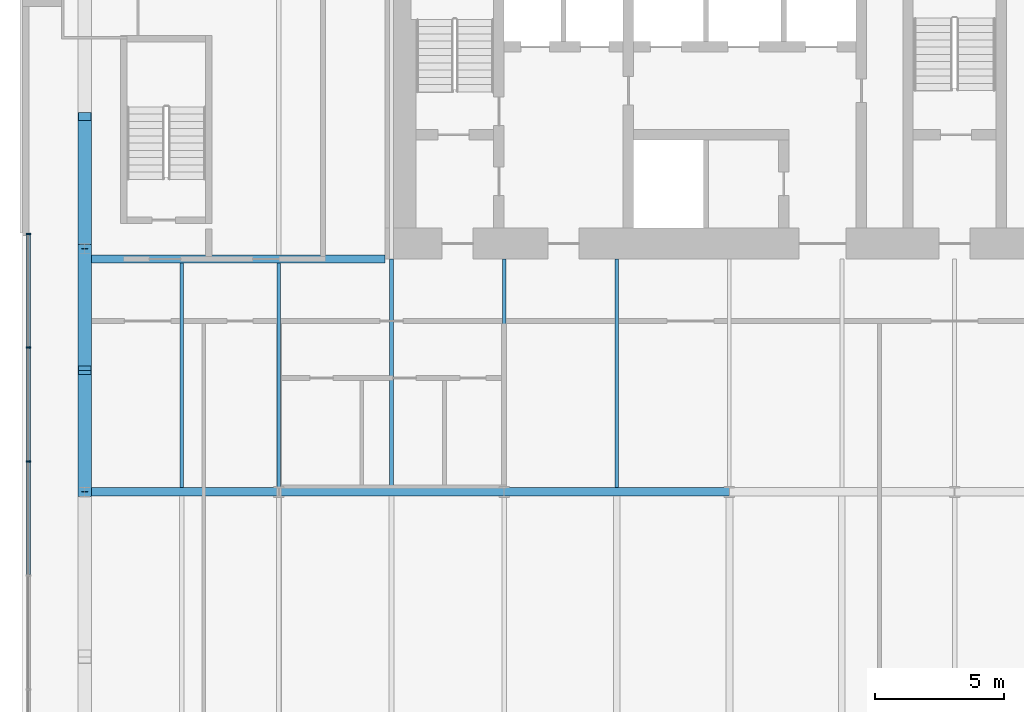
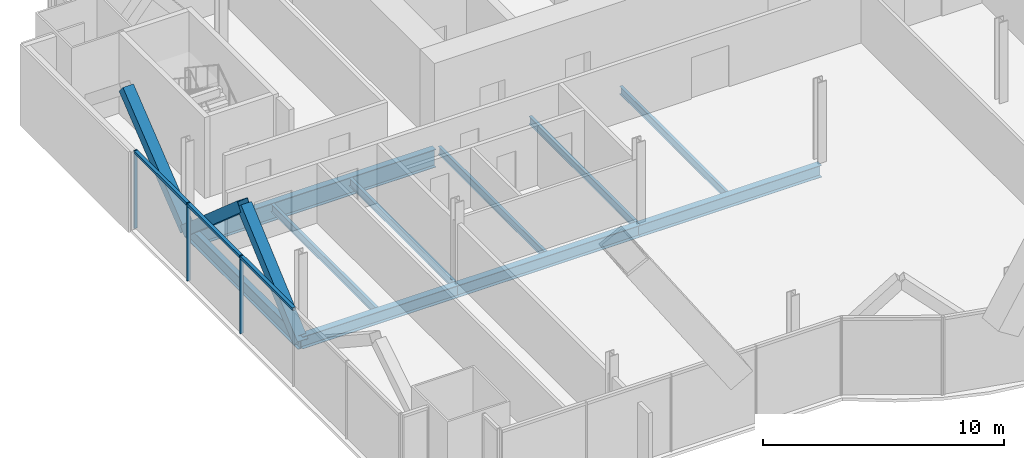
# One storey, part 6 of 21: 10 beams, 9 members, 1 element without a shape of its own.
"""IFC4 building model written with IfcOpenShell, lengths in metres."""

from ifc_helpers import new_model, si_unit, direction, frame, origin, origin_2d, place, context, subcontext, project, spatial, rectangle, hollow_rectangle, i_section, extrude, material, material_profile, profile_set, type_object, element, aggregate, save


model = new_model("IFC4")

# Units and contexts
model_context = context("Model", 3, precision=1e-05, world=origin(), true_north=direction((0.0, 1.0)))
body_context = subcontext(model_context, "Body", "Model", "MODEL_VIEW")
ifc_project = project(units=[si_unit("LENGTHUNIT", "METRE"), si_unit("AREAUNIT", "SQUARE_METRE"), si_unit("VOLUMEUNIT", "CUBIC_METRE"), si_unit("PLANEANGLEUNIT", "RADIAN"), si_unit("MASSUNIT", "GRAM", prefix="KILO")], contexts=[model_context])

# Site, building, storey
site_placement = place(None, origin())
site = spatial("IfcSite", under=ifc_project, at=site_placement, CompositionType="ELEMENT")
building_placement = place(site_placement, origin())
building = spatial("IfcBuilding", under=site, at=building_placement, Name="Bicima Exchange Tower", CompositionType="ELEMENT")
storey_placement = place(building_placement, frame((0.0, 0.0, 118.60009765625)))
storey = spatial("IfcBuildingStorey", under=building, at=storey_placement, Name="L25", CompositionType="ELEMENT", Elevation=118.60009765625)

# Beam
ifc_material_1 = material(Name="Steel ASTM A992 Gr 50", Category="steel")
ifc_material_profile_1 = material_profile(ifc_material_1, i_section(OverallWidth=0.3046875, OverallDepth=0.911865234375, WebThickness=0.015869140625, FlangeThickness=0.02392578125, at=origin_2d()))
ifc_profile_set_1 = profile_set([ifc_material_profile_1], Name="Steel ASTM A992 Gr 50")
beam_type_1 = type_object("IfcBeamType", Name="Core-line girder W36x150", PredefinedType="BEAM", material=ifc_profile_set_1)
beam_1_placement = place(storey_placement, frame((-22.0, -13.0, -0.60595703125), z_axis=(-1.0, 0.0, 0.0), x_axis=(0.0, -1.0, 0.0)))
element("IfcBeam", 1, at=beam_1_placement, inside=storey, type_object=beam_type_1, Name="Core-line girder", PredefinedType="BEAM", context=body_context, shape_type="SweptSolid", body=[
    extrude(i_section(OverallWidth=0.3046875, OverallDepth=0.911865234375, WebThickness=0.015869140625, FlangeThickness=0.02392578125, at=origin_2d()), origin(), (0.0, 0.0, 1.0), 11.60009765625),
])

# Curtain wall, members
ifc_material_2 = material(Name="Anodised bronze aluminium", Category="aluminium")
curtain_wall_type = type_object("IfcCurtainWallType", Name="End face glass wall", PredefinedType="NOTDEFINED", material=ifc_material_2)
curtain_wall_placement = place(storey_placement, origin())
curtain_wall = element("IfcCurtainWall", 2, at=curtain_wall_placement, inside=storey, type_object=curtain_wall_type, Name="End face glass wall L25 run 2", PredefinedType="NOTDEFINED")
ifc_material_profile_2 = material_profile(ifc_material_2, rectangle(XDim=0.159912109375, YDim=0.06005859375, at=origin_2d()))
ifc_profile_set_2 = profile_set([ifc_material_profile_2], Name="Anodised bronze aluminium")
member_type_1 = type_object("IfcMemberType", Name="End face glass wall mullion 60 x 160", PredefinedType="MULLION", material=ifc_profile_set_2)
member_1_placement = place(storey_placement, frame((-35.77001953125, -12.030029296875, 0.0), z_axis=(0.0, 0.0, 1.0), x_axis=(1.0, 0.0, 0.0)))
member_1 = element("IfcMember", 3, at=member_1_placement, type_object=member_type_1, Name="End face glass wall mullion 1", PredefinedType="MULLION", context=body_context, shape_type="SweptSolid", body=[
    extrude(rectangle(XDim=0.159912109375, YDim=0.06005859375, at=origin_2d()), origin(), (0.0, 0.0, 1.0), 3.949951171875),
])
member_2_placement = place(storey_placement, frame((-35.77001953125, -16.4287109375, 0.0), z_axis=(0.0, 0.0, 1.0), x_axis=(1.0, 0.0, 0.0)))
member_2 = element("IfcMember", 4, at=member_2_placement, type_object=member_type_1, Name="End face glass wall mullion 2", PredefinedType="MULLION", context=body_context, shape_type="SweptSolid", body=[
    extrude(rectangle(XDim=0.159912109375, YDim=0.06005859375, at=origin_2d()), origin(), (0.0, 0.0, 1.0), 3.949951171875),
])
member_3_placement = place(storey_placement, frame((-35.77001953125, -20.82763671875, 0.0), z_axis=(0.0, 0.0, 1.0), x_axis=(1.0, 0.0, 0.0)))
member_3 = element("IfcMember", 5, at=member_3_placement, type_object=member_type_1, Name="End face glass wall mullion 3", PredefinedType="MULLION", context=body_context, shape_type="SweptSolid", body=[
    extrude(rectangle(XDim=0.159912109375, YDim=0.06005859375, at=origin_2d()), origin(), (0.0, 0.0, 1.0), 3.949951171875),
])
ifc_material_profile_3 = material_profile(ifc_material_2, rectangle(XDim=0.159912109375, YDim=0.139892578125, at=origin_2d()))
ifc_profile_set_3 = profile_set([ifc_material_profile_3], Name="Anodised bronze aluminium")
member_type_2 = type_object("IfcMemberType", Name="End face glass wall transom 140 x 160", PredefinedType="USERDEFINED", material=ifc_profile_set_3)
member_4_placement = place(storey_placement, frame((-35.77001953125, -12.06005859375, 3.8798828125), z_axis=(0.0, -1.0, 0.0), x_axis=(1.0, 0.0, 0.0)))
member_4 = element("IfcMember", 6, at=member_4_placement, type_object=member_type_2, Name="End face glass wall transom 1.1", ObjectType="TRANSOM", PredefinedType="USERDEFINED", context=body_context, shape_type="SweptSolid", body=[
    extrude(rectangle(XDim=0.159912109375, YDim=0.139892578125, at=origin_2d()), origin(), (0.0, 0.0, 1.0), 4.338623046875),
])
member_5_placement = place(storey_placement, frame((-35.77001953125, -16.458740234375, 3.8798828125), z_axis=(0.0, -1.0, 0.0), x_axis=(1.0, 0.0, 0.0)))
member_5 = element("IfcMember", 7, at=member_5_placement, type_object=member_type_2, Name="End face glass wall transom 2.1", ObjectType="TRANSOM", PredefinedType="USERDEFINED", context=body_context, shape_type="SweptSolid", body=[
    extrude(rectangle(XDim=0.159912109375, YDim=0.139892578125, at=origin_2d()), origin(), (0.0, 0.0, 1.0), 4.3388671875),
])
member_6_placement = place(storey_placement, frame((-35.77001953125, -20.857666015625, 3.8798828125), z_axis=(0.0, -1.0, 0.0), x_axis=(1.0, 0.0, 0.0)))
member_6 = element("IfcMember", 8, at=member_6_placement, type_object=member_type_2, Name="End face glass wall transom 3.1", ObjectType="TRANSOM", PredefinedType="USERDEFINED", context=body_context, shape_type="SweptSolid", body=[
    extrude(rectangle(XDim=0.159912109375, YDim=0.139892578125, at=origin_2d()), origin(), (0.0, 0.0, 1.0), 4.338623046875),
])
aggregate(curtain_wall, [member_1, member_2, member_3, member_4, member_5, member_6])

# Beams
ifc_material_profile_4 = material_profile(ifc_material_1, i_section(OverallWidth=0.256591796875, OverallDepth=0.693359375, WebThickness=0.014404296875, FlangeThickness=0.023681640625, at=origin_2d()))
ifc_profile_set_4 = profile_set([ifc_material_profile_4], Name="Steel ASTM A992 Gr 50")
beam_type_2 = type_object("IfcBeamType", Name="End girder W27x114", PredefinedType="BEAM", material=ifc_profile_set_4)
beam_2_placement = place(storey_placement, frame((-33.60009765625, -12.60009765625, -0.496826171875), z_axis=(0.0, -1.0, 0.0), x_axis=(1.0, 0.0, 0.0)))
element("IfcBeam", 9, at=beam_2_placement, inside=storey, type_object=beam_type_2, Name="End girder", PredefinedType="BEAM", context=body_context, shape_type="SweptSolid", body=[
    extrude(i_section(OverallWidth=0.256591796875, OverallDepth=0.693359375, WebThickness=0.014404296875, FlangeThickness=0.023681640625, at=origin_2d()), origin(), (0.0, 0.0, 1.0), 9.39990234375),
])
ifc_material_profile_5 = material_profile(ifc_material_1, i_section(OverallWidth=0.140380859375, OverallDepth=0.40380859375, WebThickness=0.007080078125, FlangeThickness=0.01123046875, at=origin_2d()))
ifc_profile_set_5 = profile_set([ifc_material_profile_5], Name="Steel ASTM A992 Gr 50")
beam_type_3 = type_object("IfcBeamType", Name="Floor beam W16x31", PredefinedType="JOIST", material=ifc_profile_set_5)
for number, where, z_axis, x_axis, name in (
    (10, (-29.85009765625, -13.15234375, -0.35205078125), (0.0, -1.0, 0.0), (1.0, 0.0, 0.0), "Floor beam"),
    (11, (-26.10009765625, -13.15234375, -0.35205078125), (0.0, -1.0, 0.0), (1.0, 0.0, 0.0), "Floor beam"),
):
    element("IfcBeam", number, at=place(storey_placement, frame(where, z_axis=z_axis, x_axis=x_axis)), inside=storey, type_object=beam_type_3, Name=name, PredefinedType="JOIST", context=body_context, shape_type="SweptSolid", body=[
        extrude(i_section(OverallWidth=0.140380859375, OverallDepth=0.40380859375, WebThickness=0.007080078125, FlangeThickness=0.01123046875, at=origin_2d()), origin(), (0.0, 0.0, 1.0), 8.68505859375),
    ])
for number, where, z_axis, x_axis, name in (
    (12, (-21.75, -13.0, -0.35205078125), (0.0, -1.0, 0.0), (1.0, 0.0, 0.0), "Floor beam"),
    (13, (-17.39990234375, -13.0, -0.35205078125), (0.0, -1.0, 0.0), (1.0, 0.0, 0.0), "Floor beam"),
    (14, (-13.050048828125, -13.0, -0.35205078125), (0.0, -1.0, 0.0), (1.0, 0.0, 0.0), "Floor beam"),
):
    element("IfcBeam", number, at=place(storey_placement, frame(where, z_axis=z_axis, x_axis=x_axis)), inside=storey, type_object=beam_type_3, Name=name, PredefinedType="JOIST", context=body_context, shape_type="SweptSolid", body=[
        extrude(i_section(OverallWidth=0.140380859375, OverallDepth=0.40380859375, WebThickness=0.007080078125, FlangeThickness=0.01123046875, at=origin_2d()), origin(), (0.0, 0.0, 1.0), 8.83740234375),
    ])

# Members
ifc_material_3 = material(Name="Steel ASTM A572 Gr 50", Category="steel")
ifc_material_profile_6 = material_profile(ifc_material_3, hollow_rectangle(XDim=0.508056640625, YDim=0.508056640625, WallThickness=0.0146484375, at=origin_2d()))
ifc_profile_set_6 = profile_set([ifc_material_profile_6], Name="Steel ASTM A572 Gr 50")
member_type_3 = type_object("IfcMemberType", Name="Mega brace HSS20x20x5/8", PredefinedType="BRACE", material=ifc_profile_set_6)
member_7_placement = place(storey_placement, frame((-33.60009765625, -12.60009765625, -0.496826171875), z_axis=(0.0, 0.779374241895, 0.626558689247), x_axis=(-1.0, 0.0, 0.0)))
element("IfcMember", 15, at=member_7_placement, inside=storey, type_object=member_type_3, Name="Mega brace west end", PredefinedType="BRACE", context=body_context, shape_type="SweptSolid", body=[
    extrude(hollow_rectangle(XDim=0.508056640625, YDim=0.508056640625, WallThickness=0.0146484375, at=origin_2d()), origin(), (0.0, 0.0, 1.0), 6.5439453125),
])
for number, where, z_axis, x_axis, name in (
    (16, (-33.60009765625, -12.60009765625, -0.496826171875), (0.0, -0.753557917662, 0.657381521439), (1.0, 0.0, 0.0), "Mega brace west end"),
    (17, (-33.60009765625, -22.0, -0.496826171875), (0.0, 0.753557917662, 0.657381521439), (-1.0, 0.0, 0.0), "Mega brace west end"),
):
    element("IfcMember", number, at=place(storey_placement, frame(where, z_axis=z_axis, x_axis=x_axis)), inside=storey, type_object=member_type_3, Name=name, PredefinedType="BRACE", context=body_context, shape_type="SweptSolid", body=[
        extrude(hollow_rectangle(XDim=0.508056640625, YDim=0.508056640625, WallThickness=0.0146484375, at=origin_2d()), origin(), (0.0, 0.0, 1.0), 6.237060546875),
    ])

# Beams
ifc_material_profile_7 = material_profile(ifc_material_1, i_section(OverallWidth=0.3251953125, OverallDepth=0.612060546875, WebThickness=0.0126953125, FlangeThickness=0.01904296875, at=origin_2d()))
ifc_profile_set_7 = profile_set([ifc_material_profile_7], Name="Steel ASTM A992 Gr 50")
beam_type_4 = type_object("IfcBeamType", Name="Row girder W24x104", PredefinedType="BEAM", material=ifc_profile_set_7)
beam_3_placement = place(storey_placement, frame((-33.60009765625, -22.0, -0.456298828125), z_axis=(1.0, 0.0, 0.0), x_axis=(0.0, 1.0, 0.0)))
element("IfcBeam", 18, at=beam_3_placement, inside=storey, type_object=beam_type_4, Name="Row girder", PredefinedType="BEAM", context=body_context, shape_type="SweptSolid", body=[
    extrude(i_section(OverallWidth=0.3251953125, OverallDepth=0.612060546875, WebThickness=0.0126953125, FlangeThickness=0.01904296875, at=origin_2d()), origin(), (0.0, 0.0, 1.0), 7.5),
])
beam_4_placement = place(storey_placement, frame((-26.10009765625, -22.0, -0.456298828125), z_axis=(1.0, 0.0, 0.0), x_axis=(0.0, 1.0, 0.0)))
element("IfcBeam", 19, at=beam_4_placement, inside=storey, type_object=beam_type_4, Name="Row girder", PredefinedType="BEAM", context=body_context, shape_type="SweptSolid", body=[
    extrude(i_section(OverallWidth=0.3251953125, OverallDepth=0.612060546875, WebThickness=0.0126953125, FlangeThickness=0.01904296875, at=origin_2d()), origin(), (0.0, 0.0, 1.0), 8.7001953125),
])
beam_5_placement = place(storey_placement, frame((-17.39990234375, -22.0, -0.456298828125), z_axis=(1.0, 0.0, 0.0), x_axis=(0.0, 1.0, 0.0)))
element("IfcBeam", 20, at=beam_5_placement, inside=storey, type_object=beam_type_4, Name="Row girder", PredefinedType="BEAM", context=body_context, shape_type="SweptSolid", body=[
    extrude(i_section(OverallWidth=0.3251953125, OverallDepth=0.612060546875, WebThickness=0.0126953125, FlangeThickness=0.01904296875, at=origin_2d()), origin(), (0.0, 0.0, 1.0), 8.699951171875),
])

save(model, "model.ifc")
